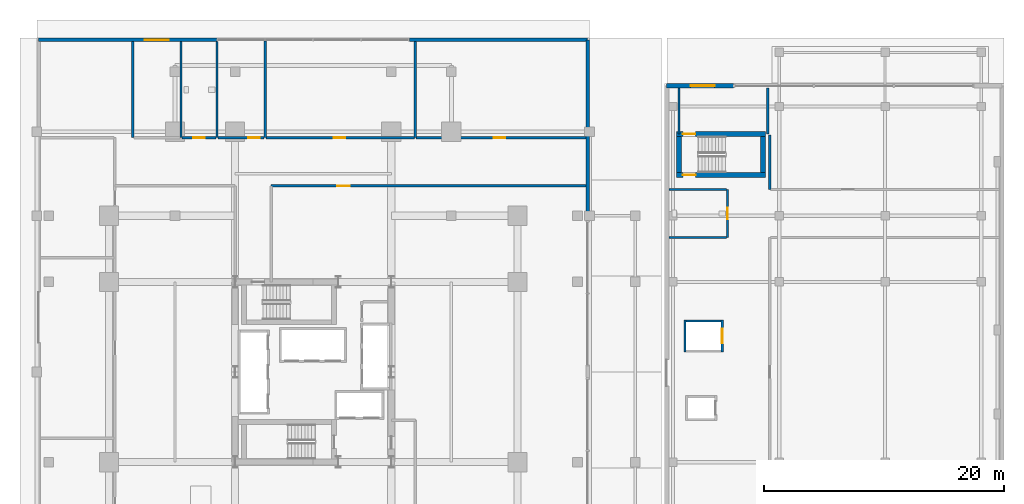
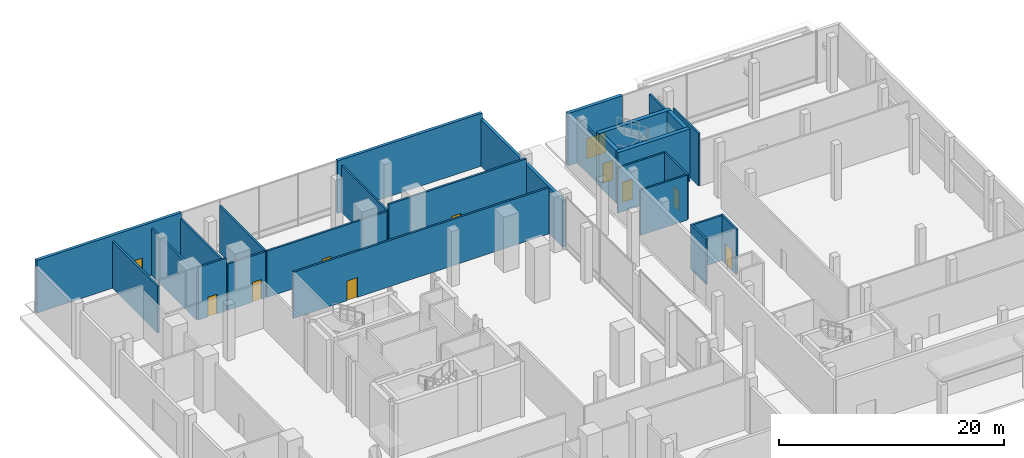
# One storey, part 27 of 34: 27 walls, 11 doors, 11 openings.
"""IFC4 building model written with IfcOpenShell, lengths in metres."""

from ifc_helpers import new_model, si_unit, direction, frame, frame_2d, origin, place, context, subcontext, project, spatial, rectangle, extrude, material, layer, layer_set, type_object, element, fill, save


model = new_model("IFC4")

# Units and contexts
model_context = context("Model", 3, precision=1e-05, world=origin(), true_north=direction((0.0, 1.0)))
body_context = subcontext(model_context, "Body", "Model", "MODEL_VIEW")
ifc_project = project(units=[si_unit("LENGTHUNIT", "METRE"), si_unit("AREAUNIT", "SQUARE_METRE"), si_unit("VOLUMEUNIT", "CUBIC_METRE"), si_unit("PLANEANGLEUNIT", "RADIAN"), si_unit("MASSUNIT", "GRAM", prefix="KILO")], contexts=[model_context])

# Site, building, storey
site_placement = place(None, origin())
site = spatial("IfcSite", under=ifc_project, at=site_placement, CompositionType="ELEMENT")
building_placement = place(site_placement, origin())
building = spatial("IfcBuilding", under=site, at=building_placement, Name="Barlavira Tower and Art Museum", CompositionType="ELEMENT")
storey_placement = place(building_placement, origin())
storey = spatial("IfcBuildingStorey", under=building, at=storey_placement, Name="L00", CompositionType="ELEMENT", Elevation=0.0)

# Wall, opening, door
ifc_material_1 = material(Name="Autoclaved aerated concrete masonry", Category="masonry")
ifc_layer_1 = layer(ifc_material_1, 0.199951171875, Name="Autoclaved aerated concrete masonry")
ifc_layer_set_1 = layer_set([ifc_layer_1], Name="Autoclaved aerated concrete masonry")
wall_type_1 = type_object("IfcWallType", Name="Fire Compartment and Shaft Wall 200", PredefinedType="SOLIDWALL", material=ifc_layer_set_1)
wall_1_placement = place(storey_placement, frame((34.050048828125, 1.64990234375, 0.0), z_axis=(0.0, 0.0, 1.0), x_axis=(0.0, 1.0, 0.0)))
wall_1 = element("IfcWall", 1, at=wall_1_placement, inside=storey, type_object=wall_type_1, Name="L00 Museum Lift MG1 Front Wall", PredefinedType="SOLIDWALL", context=body_context, shape_type="SweptSolid", body=[
    extrude(rectangle(XDim=2.7001953125, YDim=0.199951171875, at=frame_2d((1.35009765625, 0.0))), origin(), (0.0, 0.0, 1.0), 4.89697265625),
])
opening_1_placement = place(wall_1_placement, frame((0.75, 0.0, 0.0)))
opening_1 = element("IfcOpeningElement", 2, at=opening_1_placement, cuts=wall_1, Name="Opening LD-F", PredefinedType="OPENING", context=body_context, shape_type="SweptSolid", body=[
    extrude(rectangle(XDim=1.199951171875, YDim=2.199951171875, at=frame_2d((0.60009765625, 1.10009765625))), frame((0.0, 0.10986328125, 0.0), z_axis=(0.0, -1.0, 0.0), x_axis=(1.0, 0.0, 0.0)), (0.0, 0.0, 1.0), 0.219970703125),
])
ifc_material_2 = material(Name="Brushed stainless steel", Category="steel")
door_type_1 = type_object("IfcDoorType", Name="Firefighting and Service Lift Sliding Door 1200x2200 FD120", OperationType="NOTDEFINED", PredefinedType="DOOR", material=ifc_material_2)
door_1_placement = place(opening_1_placement, origin())
door_1 = element("IfcDoor", 3, at=door_1_placement, inside=storey, type_object=door_type_1, Name="L00 Museum Lift MG1 Sliding Landing Door", OperationType="DOUBLE_DOOR_SLIDING", OverallHeight=2.199951171875, OverallWidth=1.199951171875, PredefinedType="DOOR", context=body_context, shape_type="SweptSolid", body=[
    extrude(rectangle(XDim=1.199951171875, YDim=2.199951171875, at=frame_2d((0.60009765625, 1.10009765625))), frame((0.0, 0.02490234375, 0.0), z_axis=(0.0, -1.0, 0.0), x_axis=(1.0, 0.0, 0.0)), (0.0, 0.0, 1.0), 0.050048828125),
])
fill(opening_1, door_1)

# Walls
wall_2_placement = place(storey_placement, frame((30.949951171875, 1.64990234375, 0.0), z_axis=(0.0, 0.0, 1.0), x_axis=(0.0, 1.0, 0.0)))
element("IfcWall", 4, at=wall_2_placement, inside=storey, type_object=wall_type_1, Name="L00 Museum Lift MG1 Back Wall", PredefinedType="SOLIDWALL", context=body_context, shape_type="SweptSolid", body=[
    extrude(rectangle(XDim=2.7001953125, YDim=0.199951171875, at=frame_2d((1.35009765625, 0.0))), origin(), (0.0, 0.0, 1.0), 4.89697265625),
])
wall_3_placement = place(storey_placement, frame((31.050048828125, 4.25, 0.0), z_axis=(0.0, 0.0, 1.0), x_axis=(1.0, 0.0, 0.0)))
element("IfcWall", 5, at=wall_3_placement, inside=storey, type_object=wall_type_1, Name="L00 Museum Lift MG1 North Wall", PredefinedType="SOLIDWALL", context=body_context, shape_type="SweptSolid", body=[
    extrude(rectangle(XDim=2.89990234375, YDim=0.199951171875, at=frame_2d((1.449951171875, 0.0))), origin(), (0.0, 0.0, 1.0), 4.89697265625),
])

# Wall, opening, door
wall_4_placement = place(storey_placement, frame((-3.5, 15.5, 0.0), z_axis=(0.0, 0.0, 1.0), x_axis=(1.0, 0.0, 0.0)))
wall_4 = element("IfcWall", 6, at=wall_4_placement, inside=storey, type_object=wall_type_1, Name="L00 North Protected Exit Corridor Wall E", PredefinedType="SOLIDWALL", context=body_context, shape_type="SweptSolid", body=[
    extrude(rectangle(XDim=26.199951171875, YDim=0.199951171875, at=frame_2d((13.10009765625, 0.0))), origin(), (0.0, 0.0, 1.0), 5.010009765625),
])
opening_2_placement = place(wall_4_placement, frame((5.5, 0.0, 0.0)))
opening_2 = element("IfcOpeningElement", 7, at=opening_2_placement, cuts=wall_4, Name="Opening FD-90", PredefinedType="OPENING", context=body_context, shape_type="SweptSolid", body=[
    extrude(rectangle(XDim=1.050048828125, YDim=2.14990234375, at=frame_2d((0.52490234375, 1.074951171875))), frame((0.0, 0.10986328125, 0.0), z_axis=(0.0, -1.0, 0.0), x_axis=(1.0, 0.0, 0.0)), (0.0, 0.0, 1.0), 0.219970703125),
])
door_type_2 = type_object("IfcDoorType", Name="Stair and Refuge Fire Door 1050x2150 FD90S", OperationType="NOTDEFINED", PredefinedType="DOOR", material=ifc_material_2)
door_2_placement = place(opening_2_placement, origin())
door_2 = element("IfcDoor", 8, at=door_2_placement, inside=storey, type_object=door_type_2, Name="L00 Lobby to North Protected Exit Corridor Fire Door", OperationType="SINGLE_SWING_LEFT", OverallHeight=2.14990234375, OverallWidth=1.050048828125, PredefinedType="DOOR", context=body_context, shape_type="SweptSolid", body=[
    extrude(rectangle(XDim=1.050048828125, YDim=2.14990234375, at=frame_2d((0.52490234375, 1.074951171875))), frame((0.0, 0.02490234375, 0.0), z_axis=(0.0, -1.0, 0.0), x_axis=(1.0, 0.0, 0.0)), (0.0, 0.0, 1.0), 0.050048828125),
])
fill(opening_2, door_2)

# Walls
for number, where, z_axis, x_axis, name in (
    (9, (30.449951171875, 19.800048828125, 0.0), (0.0, 0.0, 1.0), (0.0, 1.0, 0.0), "L00 Museum ST-M2 Exit Passage West Wall"),
    (10, (37.85009765625, 19.800048828125, 0.0), (0.0, 0.0, 1.0), (0.0, 1.0, 0.0), "L00 Museum ST-M2 Exit Passage East Wall"),
):
    element("IfcWall", number, at=place(storey_placement, frame(where, z_axis=z_axis, x_axis=x_axis)), inside=storey, type_object=wall_type_1, Name=name, PredefinedType="SOLIDWALL", context=body_context, shape_type="SweptSolid", body=[
        extrude(rectangle(XDim=3.849853515625, YDim=0.199951171875, at=frame_2d((1.9248046875, 0.0))), origin(), (0.0, 0.0, 1.0), 4.89697265625),
    ])
for number, where, z_axis, x_axis, name in (
    (11, (-15.0, 19.5, 0.0), (0.0, 0.0, 1.0), (0.0, 1.0, 0.0), "L00 Partition Wall 3"),
    (12, (-11.0, 19.5, 0.0), (0.0, 0.0, 1.0), (0.0, 1.0, 0.0), "L00 Partition Wall 5"),
    (13, (-8.0, 19.5, 0.0), (0.0, 0.0, 1.0), (0.0, 1.0, 0.0), "L00 Partition Wall 6"),
):
    element("IfcWall", number, at=place(storey_placement, frame(where, z_axis=z_axis, x_axis=x_axis)), inside=storey, type_object=wall_type_1, Name=name, PredefinedType="SOLIDWALL", context=body_context, shape_type="SweptSolid", body=[
        extrude(rectangle(XDim=7.9951171875, YDim=0.199951171875, at=frame_2d((3.99755859375, 0.0))), origin(), (0.0, 0.0, 1.0), 5.075927734375),
    ])
wall_5_placement = place(storey_placement, frame((-4.0, 19.5, 0.0), z_axis=(0.0, 0.0, 1.0), x_axis=(0.0, 1.0, 0.0)))
element("IfcWall", 14, at=wall_5_placement, inside=storey, type_object=wall_type_1, Name="L00 Partition Wall 7", PredefinedType="SOLIDWALL", context=body_context, shape_type="SweptSolid", body=[
    extrude(rectangle(XDim=8.054931640625, YDim=0.199951171875, at=frame_2d((4.02734375, 0.0))), origin(), (0.0, 0.0, 1.0), 5.075927734375),
])

# Wall, opening, door
wall_6_placement = place(storey_placement, frame((-10.919921875, 19.5, 0.0), z_axis=(0.0, 0.0, 1.0), x_axis=(1.0, 0.0, 0.0)))
wall_6 = element("IfcWall", 15, at=wall_6_placement, inside=storey, type_object=wall_type_1, Name="L00 Partition Wall 35", PredefinedType="SOLIDWALL", context=body_context, shape_type="SweptSolid", body=[
    extrude(rectangle(XDim=2.83984375, YDim=0.199951171875, at=frame_2d((1.419921875, 0.0))), origin(), (0.0, 0.0, 1.0), 5.719970703125),
])
opening_3_placement = place(wall_6_placement, frame((0.945068359375, 0.0, 0.0)))
opening_3 = element("IfcOpeningElement", 16, at=opening_3_placement, cuts=wall_6, Name="Opening FD-60", PredefinedType="OPENING", context=body_context, shape_type="SweptSolid", body=[
    extrude(rectangle(XDim=0.949951171875, YDim=2.14990234375, at=frame_2d((0.47509765625, 1.074951171875))), frame((0.0, 0.10986328125, 0.0), z_axis=(0.0, -1.0, 0.0), x_axis=(1.0, 0.0, 0.0)), (0.0, 0.0, 1.0), 0.219970703125),
])
door_type_3 = type_object("IfcDoorType", Name="Apartment Entrance and Riser Fire Door 950x2150 FD60S", OperationType="NOTDEFINED", PredefinedType="DOOR", material=ifc_material_2)
door_3_placement = place(opening_3_placement, origin())
door_3 = element("IfcDoor", 17, at=door_3_placement, inside=storey, type_object=door_type_3, Name="Ground Lobby Accessible Restroom Door", OperationType="SINGLE_SWING_LEFT", OverallHeight=2.14990234375, OverallWidth=0.949951171875, PredefinedType="DOOR", context=body_context, shape_type="SweptSolid", body=[
    extrude(rectangle(XDim=0.949951171875, YDim=2.14990234375, at=frame_2d((0.47509765625, 1.074951171875))), frame((0.0, 0.02490234375, 0.0), z_axis=(0.0, -1.0, 0.0), x_axis=(1.0, 0.0, 0.0)), (0.0, 0.0, 1.0), 0.050048828125),
])
fill(opening_3, door_3)

wall_7_placement = place(storey_placement, frame((-7.919921875, 19.5, 0.0), z_axis=(0.0, 0.0, 1.0), x_axis=(1.0, 0.0, 0.0)))
wall_7 = element("IfcWall", 18, at=wall_7_placement, inside=storey, type_object=wall_type_1, Name="L00 Partition Wall 36", PredefinedType="SOLIDWALL", context=body_context, shape_type="SweptSolid", body=[
    extrude(rectangle(XDim=3.83984375, YDim=0.199951171875, at=frame_2d((1.919921875, 0.0))), origin(), (0.0, 0.0, 1.0), 5.010009765625),
])
opening_4_placement = place(wall_7_placement, frame((2.5048828125, 0.0, 0.0)))
opening_4 = element("IfcOpeningElement", 19, at=opening_4_placement, cuts=wall_7, Name="Opening FD-60", PredefinedType="OPENING", context=body_context, shape_type="SweptSolid", body=[
    extrude(rectangle(XDim=0.949951171875, YDim=2.14990234375, at=frame_2d((0.47509765625, 1.074951171875))), frame((0.0, 0.10986328125, 0.0), z_axis=(0.0, -1.0, 0.0), x_axis=(1.0, 0.0, 0.0)), (0.0, 0.0, 1.0), 0.219970703125),
])
door_4_placement = place(opening_4_placement, origin())
door_4 = element("IfcDoor", 20, at=door_4_placement, inside=storey, type_object=door_type_3, Name="Ground Concierge Luggage Store Door", OperationType="SINGLE_SWING_RIGHT", OverallHeight=2.14990234375, OverallWidth=0.949951171875, PredefinedType="DOOR", context=body_context, shape_type="SweptSolid", body=[
    extrude(rectangle(XDim=0.949951171875, YDim=2.14990234375, at=frame_2d((0.47509765625, 1.074951171875))), frame((0.0, 0.02490234375, 0.0), z_axis=(0.0, -1.0, 0.0), x_axis=(1.0, 0.0, 0.0)), (0.0, 0.0, 1.0), 0.050048828125),
])
fill(opening_4, door_4)

wall_8_placement = place(storey_placement, frame((-3.919921875, 19.5, 0.0), z_axis=(0.0, 0.0, 1.0), x_axis=(1.0, 0.0, 0.0)))
wall_8 = element("IfcWall", 21, at=wall_8_placement, inside=storey, type_object=wall_type_1, Name="L00 Partition Wall 37", PredefinedType="SOLIDWALL", context=body_context, shape_type="SweptSolid", body=[
    extrude(rectangle(XDim=12.33984375, YDim=0.199951171875, at=frame_2d((6.169921875, 0.0))), origin(), (0.0, 0.0, 1.0), 5.010009765625),
])
opening_5_placement = place(wall_8_placement, frame((5.64501953125, 0.0, 0.0)))
opening_5 = element("IfcOpeningElement", 22, at=opening_5_placement, cuts=wall_8, Name="Opening FD-60", PredefinedType="OPENING", context=body_context, shape_type="SweptSolid", body=[
    extrude(rectangle(XDim=0.949951171875, YDim=2.14990234375, at=frame_2d((0.47509765625, 1.074951171875))), frame((0.0, 0.10986328125, 0.0), z_axis=(0.0, -1.0, 0.0), x_axis=(1.0, 0.0, 0.0)), (0.0, 0.0, 1.0), 0.219970703125),
])
door_5_placement = place(opening_5_placement, origin())
door_5 = element("IfcDoor", 23, at=door_5_placement, inside=storey, type_object=door_type_3, Name="Restaurant Esplanade Cafe Kitchen Door", OperationType="SINGLE_SWING_RIGHT", OverallHeight=2.14990234375, OverallWidth=0.949951171875, PredefinedType="DOOR", context=body_context, shape_type="SweptSolid", body=[
    extrude(rectangle(XDim=0.949951171875, YDim=2.14990234375, at=frame_2d((0.47509765625, 1.074951171875))), frame((0.0, 0.02490234375, 0.0), z_axis=(0.0, -1.0, 0.0), x_axis=(1.0, 0.0, 0.0)), (0.0, 0.0, 1.0), 0.050048828125),
])
fill(opening_5, door_5)

wall_9_placement = place(storey_placement, frame((8.580078125, 19.5, 0.0), z_axis=(0.0, 0.0, 1.0), x_axis=(1.0, 0.0, 0.0)))
wall_9 = element("IfcWall", 24, at=wall_9_placement, inside=storey, type_object=wall_type_1, Name="L00 Partition Wall 38", PredefinedType="SOLIDWALL", context=body_context, shape_type="SweptSolid", body=[
    extrude(rectangle(XDim=14.114990234375, YDim=0.199951171875, at=frame_2d((7.0576171875, 0.0))), origin(), (0.0, 0.0, 1.0), 5.719970703125),
])
opening_6_placement = place(wall_9_placement, frame((6.445068359375, 0.0, 0.0)))
opening_6 = element("IfcOpeningElement", 25, at=opening_6_placement, cuts=wall_9, Name="Opening FD-60", PredefinedType="OPENING", context=body_context, shape_type="SweptSolid", body=[
    extrude(rectangle(XDim=0.949951171875, YDim=2.14990234375, at=frame_2d((0.47509765625, 1.074951171875))), frame((0.0, 0.10986328125, 0.0), z_axis=(0.0, -1.0, 0.0), x_axis=(1.0, 0.0, 0.0)), (0.0, 0.0, 1.0), 0.219970703125),
])
door_6_placement = place(opening_6_placement, origin())
door_6 = element("IfcDoor", 26, at=door_6_placement, inside=storey, type_object=door_type_3, Name="Arcade Esplanade Cafe and Pastry Bar Door", OperationType="SINGLE_SWING_LEFT", OverallHeight=2.14990234375, OverallWidth=0.949951171875, PredefinedType="DOOR", context=body_context, shape_type="SweptSolid", body=[
    extrude(rectangle(XDim=0.949951171875, YDim=2.14990234375, at=frame_2d((0.47509765625, 1.074951171875))), frame((0.0, 0.02490234375, 0.0), z_axis=(0.0, -1.0, 0.0), x_axis=(1.0, 0.0, 0.0)), (0.0, 0.0, 1.0), 0.050048828125),
])
fill(opening_6, door_6)

# Wall
ifc_material_3 = material(Name="Gypsum acoustic stud partition", Category="gypsum")
ifc_layer_2 = layer(ifc_material_3, 0.179931640625, Name="Gypsum acoustic stud partition")
ifc_layer_set_2 = layer_set([ifc_layer_2], Name="Gypsum acoustic stud partition")
wall_type_2 = type_object("IfcWallType", Name="Inter-Tenancy Party Partition Wall 180", PredefinedType="PARTITIONING", material=ifc_layer_set_2)
wall_10_placement = place(storey_placement, frame((8.5, 19.5, 0.0), z_axis=(0.0, 0.0, 1.0), x_axis=(0.0, 1.0, 0.0)))
element("IfcWall", 27, at=wall_10_placement, inside=storey, type_object=wall_type_2, Name="L00 Partition Wall 10", PredefinedType="PARTITIONING", context=body_context, shape_type="SweptSolid", body=[
    extrude(rectangle(XDim=7.9951171875, YDim=0.179931640625, at=frame_2d((3.99755859375, 0.0))), origin(), (0.0, 0.0, 1.0), 5.075927734375),
])

# Wall, opening, door
wall_11_placement = place(storey_placement, frame((34.5, 11.199951171875, 0.0), z_axis=(0.0, 0.0, 1.0), x_axis=(0.0, 1.0, 0.0)))
wall_11 = element("IfcWall", 28, at=wall_11_placement, inside=storey, type_object=wall_type_2, Name="L00 Partition Wall 13", PredefinedType="PARTITIONING", context=body_context, shape_type="SweptSolid", body=[
    extrude(rectangle(XDim=4.0, YDim=0.179931640625, at=frame_2d((2.0, 0.0))), origin(), (0.0, 0.0, 1.0), 4.89697265625),
])
opening_7_placement = place(wall_11_placement, frame((1.52490234375, 0.0, 0.0)))
opening_7 = element("IfcOpeningElement", 29, at=opening_7_placement, cuts=wall_11, Name="Opening FD-60", PredefinedType="OPENING", context=body_context, shape_type="SweptSolid", body=[
    extrude(rectangle(XDim=0.949951171875, YDim=2.14990234375, at=frame_2d((0.47509765625, 1.074951171875))), frame((0.0, 0.10009765625, 0.0), z_axis=(0.0, -1.0, 0.0), x_axis=(1.0, 0.0, 0.0)), (0.0, 0.0, 1.0), 0.199951171875),
])
door_7_placement = place(opening_7_placement, origin())
door_7 = element("IfcDoor", 30, at=door_7_placement, inside=storey, type_object=door_type_3, Name="Museum Ground Male and Female Restrooms Door", OperationType="SINGLE_SWING_RIGHT", OverallHeight=2.14990234375, OverallWidth=0.949951171875, PredefinedType="DOOR", context=body_context, shape_type="SweptSolid", body=[
    extrude(rectangle(XDim=0.949951171875, YDim=2.14990234375, at=frame_2d((0.47509765625, 1.074951171875))), frame((0.0, 0.02490234375, 0.0), z_axis=(0.0, -1.0, 0.0), x_axis=(1.0, 0.0, 0.0)), (0.0, 0.0, 1.0), 0.050048828125),
])
fill(opening_7, door_7)

# Walls
wall_12_placement = place(storey_placement, frame((38.0, 15.199951171875, 0.0), z_axis=(0.0, 0.0, 1.0), x_axis=(0.0, 1.0, 0.0)))
element("IfcWall", 31, at=wall_12_placement, inside=storey, type_object=wall_type_2, Name="L00 Partition Wall 16", PredefinedType="PARTITIONING", context=body_context, shape_type="SweptSolid", body=[
    extrude(rectangle(XDim=4.5400390625, YDim=0.179931640625, at=frame_2d((2.27001953125, 0.0))), origin(), (0.0, 0.0, 1.0), 5.679931640625),
])
for number, where, z_axis, x_axis, name in (
    (32, (29.60498046875, 11.199951171875, 0.0), (0.0, 0.0, 1.0), (1.0, 0.0, 0.0), "L00 Partition Wall 29"),
    (33, (29.60498046875, 15.199951171875, 0.0), (0.0, 0.0, 1.0), (1.0, 0.0, 0.0), "L00 Partition Wall 31"),
):
    element("IfcWall", number, at=place(storey_placement, frame(where, z_axis=z_axis, x_axis=x_axis)), inside=storey, type_object=wall_type_2, Name=name, PredefinedType="PARTITIONING", context=body_context, shape_type="SweptSolid", body=[
        extrude(rectangle(XDim=4.81494140625, YDim=0.179931640625, at=frame_2d((2.407470703125, 0.0))), origin(), (0.0, 0.0, 1.0), 4.89697265625),
    ])

# Wall, opening, door
ifc_material_4 = material(Name="Precast concrete C40", Category="concrete")
ifc_layer_3 = layer(ifc_material_4, 0.35009765625, Name="Precast concrete C40")
ifc_layer_set_3 = layer_set([ifc_layer_3], Name="Precast concrete C40")
wall_type_3 = type_object("IfcWallType", Name="Museum Board-Formed Concrete Facade Wall 350 Concrete C40", PredefinedType="SOLIDWALL", material=ifc_layer_set_3)
wall_13_placement = place(storey_placement, frame((29.425048828125, 23.824951171875, 0.0), z_axis=(0.0, 0.0, 1.0), x_axis=(1.0, 0.0, 0.0)))
wall_13 = element("IfcWall", 34, at=wall_13_placement, inside=storey, type_object=wall_type_3, Name="L00 Museum North-West Pier Wall", PredefinedType="SOLIDWALL", context=body_context, shape_type="SweptSolid", body=[
    extrude(rectangle(XDim=5.574951171875, YDim=0.35009765625, at=frame_2d((2.78759765625, 0.0))), origin(), (0.0, 0.0, 1.0), 5.679931640625),
])
opening_8_placement = place(wall_13_placement, frame((2.0, 0.0, 0.0)))
opening_8 = element("IfcOpeningElement", 35, at=opening_8_placement, cuts=wall_13, Name="Opening ED-04", PredefinedType="OPENING", context=body_context, shape_type="SweptSolid", body=[
    extrude(rectangle(XDim=2.0, YDim=2.199951171875, at=frame_2d((1.0, 1.10009765625))), frame((0.0, 0.18505859375, 0.0), z_axis=(0.0, -1.0, 0.0), x_axis=(1.0, 0.0, 0.0)), (0.0, 0.0, 1.0), 0.3701171875),
])
ifc_material_5 = material(Name="Galvanised steel", Category="steel")
door_type_4 = type_object("IfcDoorType", Name="Ground Exit Discharge Outward Double Door 2000x2200 FD90S", OperationType="NOTDEFINED", PredefinedType="DOOR", material=ifc_material_5)
door_8_placement = place(opening_8_placement, origin())
door_8 = element("IfcDoor", 36, at=door_8_placement, inside=storey, type_object=door_type_4, Name="Museum North Final Exit Discharge Door", OperationType="DOUBLE_DOOR_SINGLE_SWING", OverallHeight=2.199951171875, OverallWidth=2.0, PredefinedType="DOOR", context=body_context, shape_type="SweptSolid", body=[
    extrude(rectangle(XDim=2.0, YDim=2.199951171875, at=frame_2d((1.0, 1.10009765625))), frame((0.0, 0.02490234375, 0.0), z_axis=(0.0, -1.0, 0.0), x_axis=(1.0, 0.0, 0.0)), (0.0, 0.0, 1.0), 0.050048828125),
])
fill(opening_8, door_8)

# Wall
ifc_layer_4 = layer(ifc_material_4, 0.300048828125, Name="Precast concrete C40")
ifc_layer_set_4 = layer_set([ifc_layer_4], Name="Precast concrete C40")
wall_type_4 = type_object("IfcWallType", Name="Podium Architectural Precast Facade Wall 300 Concrete C40", PredefinedType="SOLIDWALL", material=ifc_layer_set_4)
wall_14_placement = place(storey_placement, frame((22.85009765625, 13.0, 0.0), z_axis=(0.0, 0.0, 1.0), x_axis=(0.0, 1.0, 0.0)))
element("IfcWall", 37, at=wall_14_placement, inside=storey, type_object=wall_type_4, Name="L00 Podium East-North Wall", PredefinedType="SOLIDWALL", context=body_context, shape_type="SweptSolid", body=[
    extrude(rectangle(XDim=14.64990234375, YDim=0.300048828125, at=frame_2d((7.324951171875, 0.0))), origin(), (0.0, 0.0, 1.0), 5.075927734375),
])

# Wall, opening, door
wall_15_placement = place(storey_placement, frame((-22.85009765625, 27.64990234375, 0.0), z_axis=(0.0, 0.0, 1.0), x_axis=(1.0, 0.0, 0.0)))
wall_15 = element("IfcWall", 38, at=wall_15_placement, inside=storey, type_object=wall_type_4, Name="L00 Podium North-West Wall", PredefinedType="SOLIDWALL", context=body_context, shape_type="SweptSolid", body=[
    extrude(rectangle(XDim=14.85009765625, YDim=0.300048828125, at=frame_2d((7.425048828125, 0.0))), origin(), (0.0, 0.0, 1.0), 5.719970703125),
])
opening_9_placement = place(wall_15_placement, frame((8.85009765625, 0.0, 0.0)))
opening_9 = element("IfcOpeningElement", 39, at=opening_9_placement, cuts=wall_15, Name="Opening ED-04", PredefinedType="OPENING", context=body_context, shape_type="SweptSolid", body=[
    extrude(rectangle(XDim=2.0, YDim=2.199951171875, at=frame_2d((1.0, 1.10009765625))), frame((0.0, 0.16015625, 0.0), z_axis=(0.0, -1.0, 0.0), x_axis=(1.0, 0.0, 0.0)), (0.0, 0.0, 1.0), 0.320068359375),
])
door_9_placement = place(opening_9_placement, origin())
door_9 = element("IfcDoor", 40, at=door_9_placement, inside=storey, type_object=door_type_4, Name="L00 North Final Exit Discharge Door", OperationType="DOUBLE_DOOR_SINGLE_SWING", OverallHeight=2.199951171875, OverallWidth=2.0, PredefinedType="DOOR", context=body_context, shape_type="SweptSolid", body=[
    extrude(rectangle(XDim=2.0, YDim=2.199951171875, at=frame_2d((1.0, 1.10009765625))), frame((0.0, 0.02490234375, 0.0), z_axis=(0.0, -1.0, 0.0), x_axis=(1.0, 0.0, 0.0)), (0.0, 0.0, 1.0), 0.050048828125),
])
fill(opening_9, door_9)

# Wall
wall_16_placement = place(storey_placement, frame((8.0, 27.64990234375, 0.0), z_axis=(0.0, 0.0, 1.0), x_axis=(1.0, 0.0, 0.0)))
element("IfcWall", 41, at=wall_16_placement, inside=storey, type_object=wall_type_4, Name="L00 Podium North-East Wall", PredefinedType="SOLIDWALL", context=body_context, shape_type="SweptSolid", body=[
    extrude(rectangle(XDim=14.85009765625, YDim=0.300048828125, at=frame_2d((7.425048828125, 0.0))), origin(), (0.0, 0.0, 1.0), 5.719970703125),
])

# Wall, opening, door
ifc_material_6 = material(Name="Concrete C55", Category="concrete")
ifc_layer_5 = layer(ifc_material_6, 0.39990234375, Name="Concrete C55")
ifc_layer_set_5 = layer_set([ifc_layer_5], Name="Concrete C55")
wall_type_5 = type_object("IfcWallType", Name="Upper Core Shear Wall 400 Concrete C55", PredefinedType="SHEAR", material=ifc_layer_set_5)
wall_17_placement = place(storey_placement, frame((30.25, 19.800048828125, 0.0), z_axis=(0.0, 0.0, 1.0), x_axis=(1.0, 0.0, 0.0)))
wall_17 = element("IfcWall", 42, at=wall_17_placement, inside=storey, type_object=wall_type_5, Name="L00 ST-M2 North Shaft Wall", PredefinedType="SHEAR", context=body_context, shape_type="SweptSolid", body=[
    extrude(rectangle(XDim=7.39990234375, YDim=0.39990234375, at=frame_2d((3.699951171875, 0.0))), origin(), (0.0, 0.0, 1.0), 5.679931640625),
])
opening_10_placement = place(wall_17_placement, frame((0.52001953125, 0.0, 0.0)))
opening_10 = element("IfcOpeningElement", 43, at=opening_10_placement, cuts=wall_17, Name="Opening FD-90", PredefinedType="OPENING", context=body_context, shape_type="SweptSolid", body=[
    extrude(rectangle(XDim=1.050048828125, YDim=2.14990234375, at=frame_2d((0.52490234375, 1.074951171875))), frame((0.0, 0.2099609375, 0.0), z_axis=(0.0, -1.0, 0.0), x_axis=(1.0, 0.0, 0.0)), (0.0, 0.0, 1.0), 0.419921875),
])
door_10_placement = place(opening_10_placement, origin())
door_10 = element("IfcDoor", 44, at=door_10_placement, inside=storey, type_object=door_type_2, Name="L00 Museum North Stair ST-M2 Protected Discharge Door", OperationType="SINGLE_SWING_LEFT", OverallHeight=2.14990234375, OverallWidth=1.050048828125, PredefinedType="DOOR", context=body_context, shape_type="SweptSolid", body=[
    extrude(rectangle(XDim=1.050048828125, YDim=2.14990234375, at=frame_2d((0.52490234375, 1.074951171875))), frame((0.0, 0.02490234375, 0.0), z_axis=(0.0, -1.0, 0.0), x_axis=(1.0, 0.0, 0.0)), (0.0, 0.0, 1.0), 0.050048828125),
])
fill(opening_10, door_10)

# Walls
for number, where, z_axis, x_axis, name in (
    (45, (37.449951171875, 16.60009765625, 0.0), (0.0, 0.0, 1.0), (0.0, 1.0, 0.0), "L00 ST-M2 East Half-Landing Wall"),
    (46, (30.449951171875, 16.60009765625, 0.0), (0.0, 0.0, 1.0), (0.0, 1.0, 0.0), "L00 ST-M2 West Shaft Wall"),
):
    element("IfcWall", number, at=place(storey_placement, frame(where, z_axis=z_axis, x_axis=x_axis)), inside=storey, type_object=wall_type_5, Name=name, PredefinedType="SHEAR", context=body_context, shape_type="SweptSolid", body=[
        extrude(rectangle(XDim=3.0, YDim=0.39990234375, at=frame_2d((1.5, 0.0))), origin(), (0.0, 0.0, 1.0), 5.679931640625),
    ])

# Wall, opening, door
wall_18_placement = place(storey_placement, frame((37.64990234375, 16.39990234375, 0.0), z_axis=(0.0, 0.0, 1.0), x_axis=(-1.0, 0.0, 0.0)))
wall_18 = element("IfcWall", 47, at=wall_18_placement, inside=storey, type_object=wall_type_5, Name="L00 ST-M2 South Landing Wall", PredefinedType="SHEAR", context=body_context, shape_type="SweptSolid", body=[
    extrude(rectangle(XDim=7.39990234375, YDim=0.39990234375, at=frame_2d((3.699951171875, 0.0))), origin(), (0.0, 0.0, 1.0), 5.679931640625),
])
opening_11_placement = place(wall_18_placement, frame((5.820068359375, 0.0, 0.0)))
opening_11 = element("IfcOpeningElement", 48, at=opening_11_placement, cuts=wall_18, Name="Opening FD-90", PredefinedType="OPENING", context=body_context, shape_type="SweptSolid", body=[
    extrude(rectangle(XDim=1.050048828125, YDim=2.14990234375, at=frame_2d((0.52490234375, 1.074951171875))), frame((0.0, 0.2099609375, 0.0), z_axis=(0.0, -1.0, 0.0), x_axis=(1.0, 0.0, 0.0)), (0.0, 0.0, 1.0), 0.419921875),
])
door_11_placement = place(opening_11_placement, origin())
door_11 = element("IfcDoor", 49, at=door_11_placement, inside=storey, type_object=door_type_2, Name="L00 Museum North Stair ST-M2 Fire Door", OperationType="SINGLE_SWING_RIGHT", OverallHeight=2.14990234375, OverallWidth=1.050048828125, PredefinedType="DOOR", context=body_context, shape_type="SweptSolid", body=[
    extrude(rectangle(XDim=1.050048828125, YDim=2.14990234375, at=frame_2d((0.52490234375, 1.074951171875))), frame((0.0, 0.02490234375, 0.0), z_axis=(0.0, -1.0, 0.0), x_axis=(1.0, 0.0, 0.0)), (0.0, 0.0, 1.0), 0.050048828125),
])
fill(opening_11, door_11)

save(model, "model.ifc")
